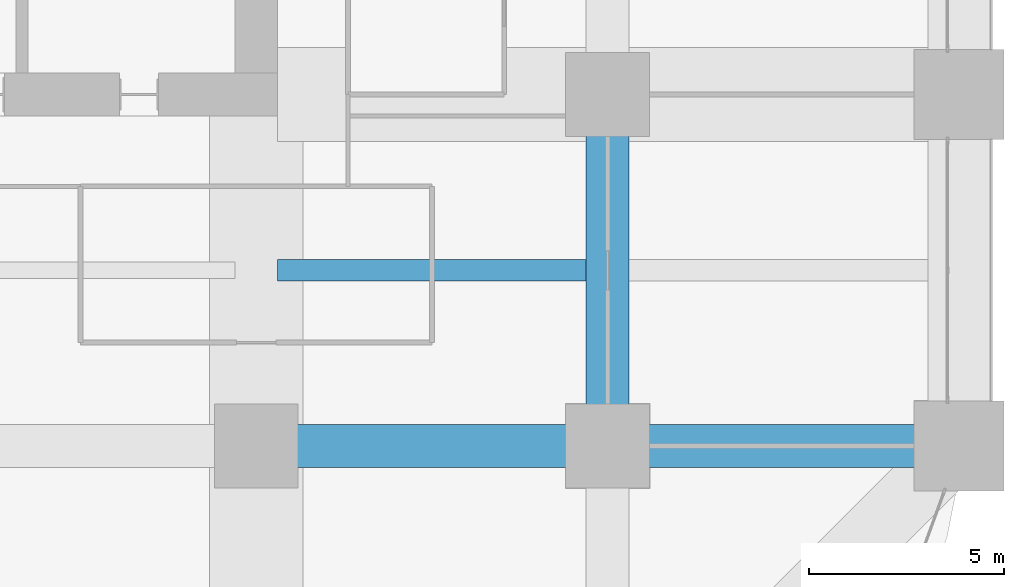
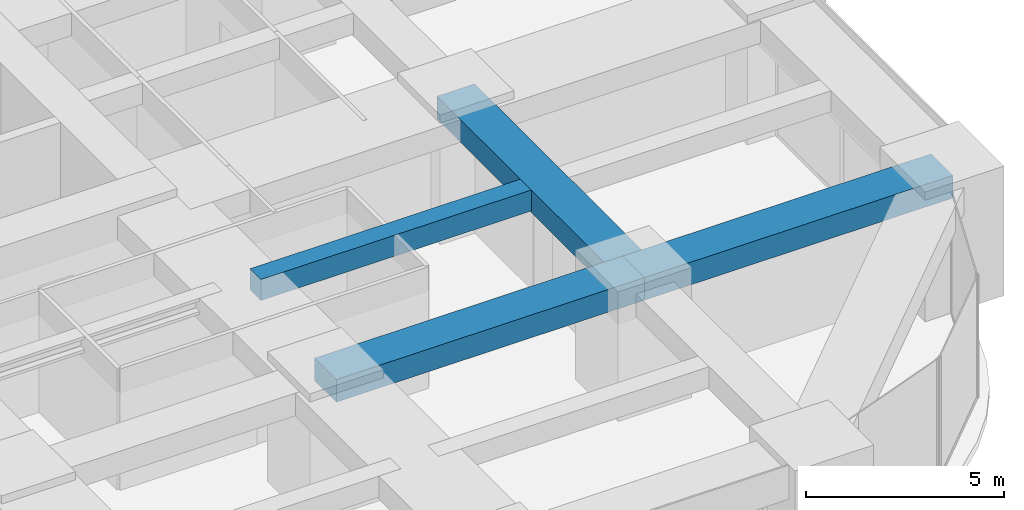
# One storey, part 17 of 43: 4 beams.
"""IFC4 building model written with IfcOpenShell, lengths in metres."""

from ifc_helpers import new_model, si_unit, direction, frame, origin, origin_2d, place, context, subcontext, project, spatial, rectangle, extrude, material, material_profile, profile_set, type_object, element, save


model = new_model("IFC4")

# Units and contexts
model_context = context("Model", 3, precision=1e-05, world=origin(), true_north=direction((0.0, 1.0)))
body_context = subcontext(model_context, "Body", "Model", "MODEL_VIEW")
ifc_project = project(units=[si_unit("LENGTHUNIT", "METRE"), si_unit("AREAUNIT", "SQUARE_METRE"), si_unit("VOLUMEUNIT", "CUBIC_METRE"), si_unit("PLANEANGLEUNIT", "RADIAN"), si_unit("MASSUNIT", "GRAM", prefix="KILO")], contexts=[model_context])

# Site, building, storey
site_placement = place(None, origin())
site = spatial("IfcSite", under=ifc_project, at=site_placement, CompositionType="ELEMENT")
building_placement = place(site_placement, origin())
building = spatial("IfcBuilding", under=site, at=building_placement, Name="Zorevar Civic Tower", CompositionType="ELEMENT")
storey_placement = place(building_placement, frame((0.0, 0.0, 67.800048828125)))
storey = spatial("IfcBuildingStorey", under=building, at=storey_placement, Name="L16", CompositionType="ELEMENT", Elevation=67.800048828125)

# Beams
ifc_material_1 = material(Name="Concrete C50/60", Category="concrete")
ifc_material_profile_1 = material_profile(ifc_material_1, rectangle(XDim=1.10009765625, YDim=0.699951171875, at=origin_2d()), Name="RC 1100x700")
ifc_profile_set_1 = profile_set([ifc_material_profile_1], Name="Concrete C50/60")
beam_type_1 = type_object("IfcBeamType", Name="Beam RC 1100x700", PredefinedType="BEAM", material=ifc_profile_set_1)
for number, where, z_axis, x_axis, name in (
    (1, (45.0, 9.0, 3.39990234375), (1.0, 0.0, 0.0), (0.0, 1.0, 0.0), "Girder L17"),
    (2, (54.0, 9.0, 3.39990234375), (1.0, 0.0, 0.0), (0.0, 1.0, 0.0), "Girder L17"),
    (3, (54.0, 9.0, 3.39990234375), (0.0, 1.0, 0.0), (-1.0, 0.0, 0.0), "Girder L17"),
):
    element("IfcBeam", number, at=place(storey_placement, frame(where, z_axis=z_axis, x_axis=x_axis)), inside=storey, type_object=beam_type_1, Name=name, PredefinedType="BEAM", context=body_context, shape_type="SweptSolid", body=[
        extrude(rectangle(XDim=1.10009765625, YDim=0.699951171875, at=origin_2d()), origin(), (0.0, 0.0, 1.0), 9.0),
    ])
ifc_material_2 = material(Name="Concrete C50/60", Category="concrete")
ifc_material_profile_2 = material_profile(ifc_material_2, rectangle(XDim=0.550048828125, YDim=0.64990234375, at=origin_2d()), Name="RC 550x650")
ifc_profile_set_2 = profile_set([ifc_material_profile_2], Name="Concrete C50/60")
beam_type_2 = type_object("IfcBeamType", Name="Beam RC 550x650", PredefinedType="BEAM", material=ifc_profile_set_2)
beam_placement = place(storey_placement, frame((45.550048828125, 13.5, 3.425048828125), z_axis=(1.0, 0.0, 0.0), x_axis=(0.0, 1.0, 0.0)))
element("IfcBeam", 4, at=beam_placement, inside=storey, type_object=beam_type_2, Name="Secondary beam L17", PredefinedType="BEAM", context=body_context, shape_type="SweptSolid", body=[
    extrude(rectangle(XDim=0.550048828125, YDim=0.64990234375, at=origin_2d()), origin(), (0.0, 0.0, 1.0), 7.89990234375),
])

save(model, "model.ifc")
